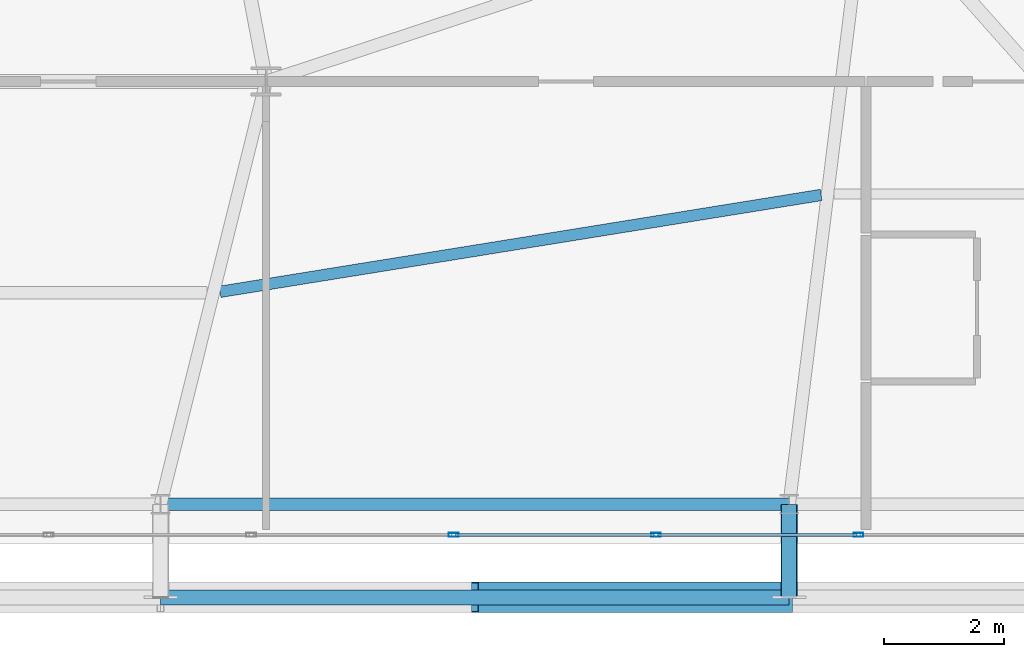
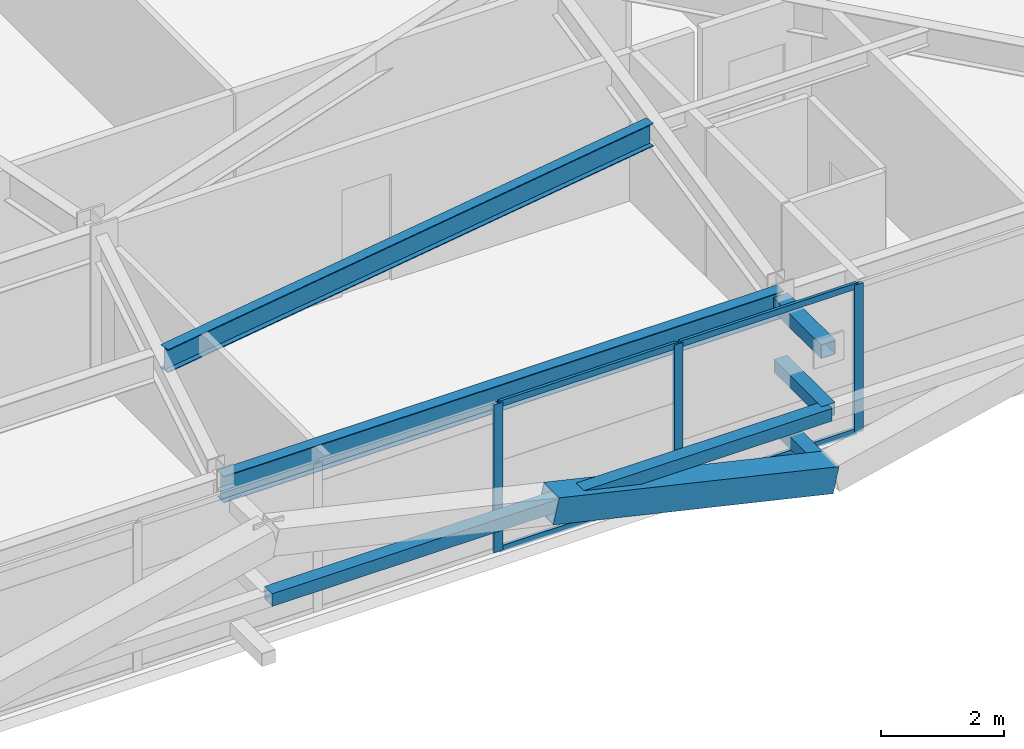
# One storey, part 21 of 58: 12 members, 2 beams, 1 element without a shape of its own.
"""IFC4 building model written with IfcOpenShell, lengths in metres."""

from ifc_helpers import new_model, si_unit, direction, frame, origin, origin_2d, place, context, subcontext, project, spatial, hollow_rectangle, i_section, extrude, source, transform, mapped, material, layer, layer_set, material_profile, profile_set, type_object, element, aggregate, save


model = new_model("IFC4")

# Units and contexts
model_context = context("Model", 3, precision=1e-05, world=origin(), true_north=direction((0.0, 1.0)))
body_context = subcontext(model_context, "Body", "Model", "MODEL_VIEW")
ifc_project = project(units=[si_unit("LENGTHUNIT", "METRE"), si_unit("AREAUNIT", "SQUARE_METRE"), si_unit("VOLUMEUNIT", "CUBIC_METRE"), si_unit("PLANEANGLEUNIT", "RADIAN"), si_unit("MASSUNIT", "GRAM", prefix="KILO")], contexts=[model_context])

# Site, building, storey
site_placement = place(None, origin())
site = spatial("IfcSite", under=ifc_project, at=site_placement, CompositionType="ELEMENT")
building_placement = place(site_placement, origin())
building = spatial("IfcBuilding", under=site, at=building_placement, Name="Taldren Reach Tower", CompositionType="ELEMENT")
storey_placement = place(building_placement, frame((0.0, 0.0, 35.699951171875)))
storey = spatial("IfcBuildingStorey", under=building, at=storey_placement, Name="L10", CompositionType="ELEMENT", Elevation=35.699951171875)

# Beams
ifc_material_1 = material(Name="Steel Gr 350 (350PLUS)", Category="steel")
ifc_material_profile_1 = material_profile(ifc_material_1, i_section(OverallWidth=0.208984375, OverallDepth=0.528076171875, WebThickness=0.009521484375, FlangeThickness=0.01318359375, at=origin_2d()), Name="530UB82.0")
ifc_profile_set_1 = profile_set([ifc_material_profile_1], Name="Steel Gr 350 (350PLUS)")
beam_type_1 = type_object("IfcBeamType", Name="SP-UB530B", PredefinedType="SPANDREL", material=ifc_profile_set_1)
shared_shape_1 = source(origin(), body_context, "Body", "SweptSolid", [
    extrude(i_section(OverallWidth=0.208984375, OverallDepth=0.528076171875, WebThickness=0.009521484375, FlangeThickness=0.01318359375, at=origin_2d()), origin(), (0.0, 0.0, 1.0), 10.47998046875),
])
beam_1_placement = place(storey_placement, frame((40.239990234375, 2.14990234375, 2.666015625), z_axis=(1.0, 0.0, 0.0), x_axis=(0.0, 1.0, 0.0)))
element("IfcBeam", 1, at=beam_1_placement, inside=storey, type_object=beam_type_1, Name="Perimeter spandrel B1 S4-S5 L10", PredefinedType="SPANDREL", context=body_context, shape_type="MappedRepresentation", body=[
    mapped(shared_shape_1, transform((0.0, 0.0, 0.0), scale=1.0)),
])
ifc_material_profile_2 = material_profile(ifc_material_1, i_section(OverallWidth=0.19091796875, OverallDepth=0.4599609375, WebThickness=0.010009765625, FlangeThickness=0.01611328125, at=origin_2d()), Name="460UB82.1")
ifc_profile_set_2 = profile_set([ifc_material_profile_2], Name="Steel Gr 350 (350PLUS)")
beam_type_2 = type_object("IfcBeamType", Name="BM-UB460A", PredefinedType="BEAM", material=ifc_profile_set_2)
shared_shape_2 = source(origin(), body_context, "Body", "SweptSolid", [
    extrude(i_section(OverallWidth=0.19091796875, OverallDepth=0.4599609375, WebThickness=0.010009765625, FlangeThickness=0.01611328125, at=origin_2d()), origin(), (0.0, 0.0, 1.0), 10.1494140625),
])
beam_2_placement = place(storey_placement, frame((41.232177734375, 5.693115234375, 2.699951171875), z_axis=(0.987266967452, 0.159072106224, 0.0), x_axis=(-0.159072106224, 0.987266967452, 0.0)))
element("IfcBeam", 2, at=beam_2_placement, inside=storey, type_object=beam_type_2, Name="Secondary floor beam B1 J4 L10", PredefinedType="BEAM", context=body_context, shape_type="MappedRepresentation", body=[
    mapped(shared_shape_2, transform((0.0, 0.0, 0.0), scale=1.0)),
])

# Members
ifc_material_2 = material(Name="Steel Gr 450 (C450L0)", Category="steel")
ifc_material_profile_3 = material_profile(ifc_material_2, hollow_rectangle(XDim=0.27490234375, YDim=0.27490234375, WallThickness=0.00927734375, at=origin_2d()), Name="275x275x9.3SHS")
ifc_profile_set_3 = profile_set([ifc_material_profile_3], Name="Steel Gr 450 (C450L0)")
member_type_1 = type_object("IfcMemberType", Name="MB-TIE273", PredefinedType="STRUT", material=ifc_profile_set_3)
shared_shape_3 = source(origin(), body_context, "Body", "SweptSolid", [
    extrude(hollow_rectangle(XDim=0.27490234375, YDim=0.27490234375, WallThickness=0.00927734375, at=origin_2d()), origin(), (0.0, 0.0, 1.0), 1.5498046875),
])
member_1_placement = place(storey_placement, frame((50.719970703125, 2.14990234375, 2.650146484375), z_axis=(0.0, -1.0, 0.0), x_axis=(1.0, 0.0, 0.0)))
element("IfcMember", 3, at=member_1_placement, inside=storey, type_object=member_type_1, Name="Exoskeleton diaphragm tie strut B1-S5 L10", PredefinedType="STRUT", context=body_context, shape_type="MappedRepresentation", body=[
    mapped(shared_shape_3, transform((0.0, 0.0, 0.0), scale=1.0)),
])
ifc_material_profile_4 = material_profile(ifc_material_2, hollow_rectangle(XDim=0.510009765625, YDim=0.510009765625, WallThickness=0.02001953125, at=origin_2d()), Name="510x510x20.0SHS")
ifc_profile_set_4 = profile_set([ifc_material_profile_4], Name="Steel Gr 450 (C450L0)")
member_type_2 = type_object("IfcMemberType", Name="MB-EXO508", PredefinedType="BRACE", material=ifc_profile_set_4)
shared_shape_4 = source(origin(), body_context, "Body", "SweptSolid", [
    extrude(hollow_rectangle(XDim=0.510009765625, YDim=0.510009765625, WallThickness=0.02001953125, at=origin_2d()), origin(), (0.0, 0.0, 1.0), 5.37890625),
])
member_2_placement = place(storey_placement, frame((50.719970703125, 0.60009765625, 0.219970703125), z_axis=(-0.97415197996, 0.0, 0.225893603143), x_axis=(0.0, -1.0, 0.0)))
element("IfcMember", 4, at=member_2_placement, inside=storey, type_object=member_type_2, Name="Exoskeleton Diagrid Brace B1-S4 L10", PredefinedType="BRACE", context=body_context, shape_type="MappedRepresentation", body=[
    mapped(shared_shape_4, transform((0.0, 0.0, 0.0), scale=1.0)),
])
ifc_material_3 = material(Name="Steel Gr 350 (C350L0)", Category="steel")
ifc_material_profile_5 = material_profile(ifc_material_3, hollow_rectangle(XDim=0.25, YDim=0.25, WallThickness=0.010009765625, at=origin_2d()), Name="250x250x10.0SHS")
ifc_profile_set_5 = profile_set([ifc_material_profile_5], Name="Steel Gr 350 (C350L0)")
member_type_3 = type_object("IfcMemberType", Name="MB-POST250", PredefinedType="POST", material=ifc_profile_set_5)
shared_shape_5 = source(origin(), body_context, "Body", "SweptSolid", [
    extrude(hollow_rectangle(XDim=0.25, YDim=0.25, WallThickness=0.010009765625, at=origin_2d()), origin(), (0.0, 0.0, 1.0), 10.47998046875),
])
member_3_placement = place(storey_placement, frame((40.239990234375, 0.60009765625, 1.43505859375), z_axis=(1.0, 0.0, 0.0), x_axis=(0.0, 1.0, 0.0)))
element("IfcMember", 5, at=member_3_placement, inside=storey, type_object=member_type_3, Name="Exoskeleton mid-height ring chord B1-S4 L10", PredefinedType="POST", context=body_context, shape_type="MappedRepresentation", body=[
    mapped(shared_shape_5, transform((0.0, 0.0, 0.0), scale=1.0)),
])
shared_shape_6 = source(origin(), body_context, "Body", "SweptSolid", [
    extrude(hollow_rectangle(XDim=0.25, YDim=0.25, WallThickness=0.010009765625, at=origin_2d()), origin(), (0.0, 0.0, 1.0), 1.5498046875),
])
for number, where, z_axis, x_axis, name in (
    (6, (50.719970703125, 2.14990234375, 0.219970703125), (0.0, -1.0, 0.0), (1.0, 0.0, 0.0), "Exoskeleton base diaphragm tie strut B1-S5 L10"),
    (7, (50.719970703125, 2.14990234375, 1.43505859375), (0.0, -1.0, 0.0), (1.0, 0.0, 0.0), "Exoskeleton mid-tier diaphragm tie B1-S5 L10"),
):
    element("IfcMember", number, at=place(storey_placement, frame(where, z_axis=z_axis, x_axis=x_axis)), inside=storey, type_object=member_type_3, Name=name, PredefinedType="POST", context=body_context, shape_type="MappedRepresentation", body=[
        mapped(shared_shape_6, transform((0.0, 0.0, 0.0), scale=1.0)),
    ])

# Curtain wall, members
ifc_material_4 = material(Name="Aluminium and Low-E Glass Unitised System", Category="aluminium")
ifc_layer = layer(ifc_material_4, 0.159912109375)
ifc_layer_set = layer_set([ifc_layer], Name="Aluminium and Low-E Glass Unitised System")
curtain_wall_type = type_object("IfcCurtainWallType", Name="CW-SYS-2", PredefinedType="NOTDEFINED", material=ifc_layer_set)
curtain_wall_placement = place(storey_placement, origin())
curtain_wall = element("IfcCurtainWall", 8, at=curtain_wall_placement, inside=storey, type_object=curtain_wall_type, Name="Unitised curtain wall CW-L10-S", PredefinedType="NOTDEFINED")
ifc_material_5 = material(Name="Anodised Aluminium 6063-T6", Category="aluminium")
ifc_material_profile_6 = material_profile(ifc_material_5, hollow_rectangle(XDim=0.06494140625, YDim=0.1650390625, WallThickness=0.00390625, at=origin_2d()), Name="ALU-165x65x4RHS")
ifc_profile_set_6 = profile_set([ifc_material_profile_6], Name="Anodised Aluminium 6063-T6")
member_type_4 = type_object("IfcMemberType", Name="CW-MUL-165", PredefinedType="MULLION", material=ifc_profile_set_6)
shared_shape_7 = source(origin(), body_context, "Body", "SweptSolid", [
    extrude(hollow_rectangle(XDim=0.06494140625, YDim=0.1650390625, WallThickness=0.00390625, at=origin_2d()), origin(), (0.0, 0.0, 1.0), 2.929931640625),
])
member_4_placement = place(storey_placement, frame((45.125, 1.639892578125, 0.0), z_axis=(0.0, 0.0, 1.0), x_axis=(0.0, 1.0, 0.0)))
member_4 = element("IfcMember", 9, at=member_4_placement, type_object=member_type_4, Name="CW-2 mullion 12", PredefinedType="MULLION", context=body_context, shape_type="MappedRepresentation", body=[
    mapped(shared_shape_7, transform((0.0, 0.0, 0.0), scale=1.0)),
])
member_5_placement = place(storey_placement, frame((48.5, 1.639892578125, 0.0), z_axis=(0.0, 0.0, 1.0), x_axis=(0.0, 1.0, 0.0)))
member_5 = element("IfcMember", 10, at=member_5_placement, type_object=member_type_4, Name="CW-2 mullion 13", PredefinedType="MULLION", context=body_context, shape_type="MappedRepresentation", body=[
    mapped(shared_shape_7, transform((0.0, 0.0, 0.0), scale=1.0)),
])
member_6_placement = place(storey_placement, frame((51.875, 1.639892578125, 0.0), z_axis=(0.0, 0.0, 1.0), x_axis=(0.0, 1.0, 0.0)))
member_6 = element("IfcMember", 11, at=member_6_placement, type_object=member_type_4, Name="CW-2 mullion 14", PredefinedType="MULLION", context=body_context, shape_type="MappedRepresentation", body=[
    mapped(shared_shape_7, transform((0.0, 0.0, 0.0), scale=1.0)),
])
ifc_material_profile_7 = material_profile(ifc_material_5, hollow_rectangle(XDim=0.054931640625, YDim=0.1201171875, WallThickness=0.0029296875, at=origin_2d()), Name="ALU-120x55x3RHS")
ifc_profile_set_7 = profile_set([ifc_material_profile_7], Name="Anodised Aluminium 6063-T6")
member_type_5 = type_object("IfcMemberType", Name="CW-TRN-135", PredefinedType="USERDEFINED", material=ifc_profile_set_7)
shared_shape_8 = source(origin(), body_context, "Body", "SweptSolid", [
    extrude(hollow_rectangle(XDim=0.054931640625, YDim=0.1201171875, WallThickness=0.0029296875, at=origin_2d()), origin(), (0.0, 0.0, 1.0), 3.31005859375),
])
member_7_placement = place(storey_placement, frame((45.157470703125, 1.639892578125, 0.027587890625), z_axis=(1.0, 0.0, 0.0), x_axis=(0.0, 1.0, 0.0)))
member_7 = element("IfcMember", 12, at=member_7_placement, type_object=member_type_5, Name="CW-2 transom 12.1", ObjectType="TRANSOM", PredefinedType="USERDEFINED", context=body_context, shape_type="MappedRepresentation", body=[
    mapped(shared_shape_8, transform((0.0, 0.0, 0.0), scale=1.0)),
])
member_8_placement = place(storey_placement, frame((45.157470703125, 1.639892578125, 2.902587890625), z_axis=(1.0, 0.0, 0.0), x_axis=(0.0, 1.0, 0.0)))
member_8 = element("IfcMember", 13, at=member_8_placement, type_object=member_type_5, Name="CW-2 transom 12.2", ObjectType="TRANSOM", PredefinedType="USERDEFINED", context=body_context, shape_type="MappedRepresentation", body=[
    mapped(shared_shape_8, transform((0.0, 0.0, 0.0), scale=1.0)),
])
member_9_placement = place(storey_placement, frame((48.532470703125, 1.639892578125, 0.027587890625), z_axis=(1.0, 0.0, 0.0), x_axis=(0.0, 1.0, 0.0)))
member_9 = element("IfcMember", 14, at=member_9_placement, type_object=member_type_5, Name="CW-2 transom 13.1", ObjectType="TRANSOM", PredefinedType="USERDEFINED", context=body_context, shape_type="MappedRepresentation", body=[
    mapped(shared_shape_8, transform((0.0, 0.0, 0.0), scale=1.0)),
])
member_10_placement = place(storey_placement, frame((48.532470703125, 1.639892578125, 2.902587890625), z_axis=(1.0, 0.0, 0.0), x_axis=(0.0, 1.0, 0.0)))
member_10 = element("IfcMember", 15, at=member_10_placement, type_object=member_type_5, Name="CW-2 transom 13.2", ObjectType="TRANSOM", PredefinedType="USERDEFINED", context=body_context, shape_type="MappedRepresentation", body=[
    mapped(shared_shape_8, transform((0.0, 0.0, 0.0), scale=1.0)),
])
aggregate(curtain_wall, [member_4, member_5, member_6, member_7, member_8, member_9, member_10])

save(model, "model.ifc")
